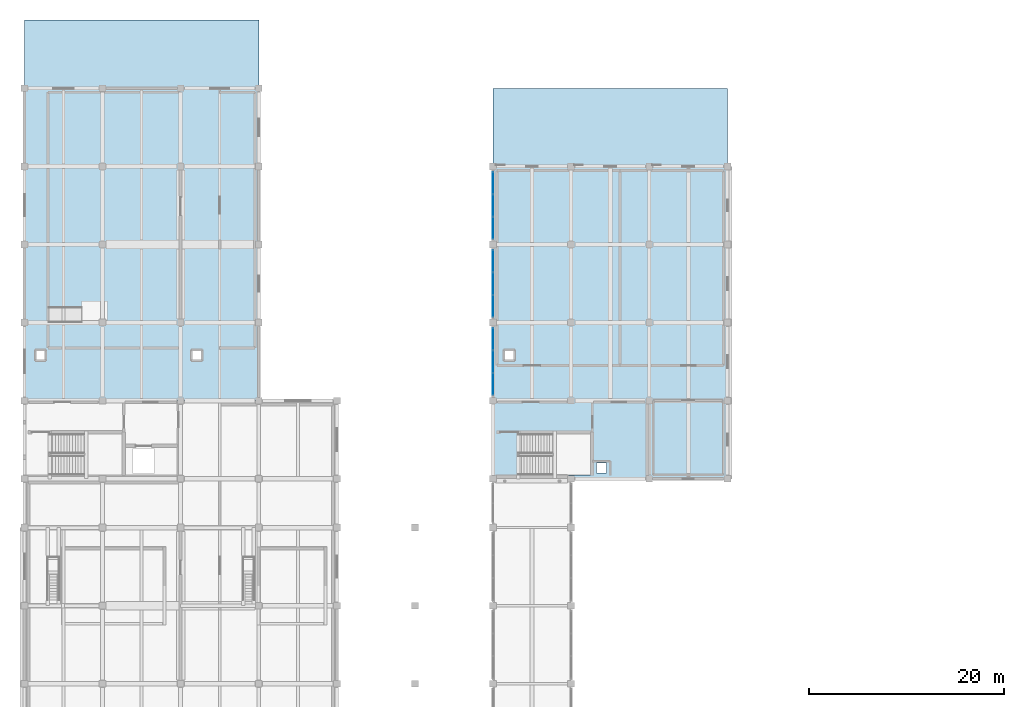
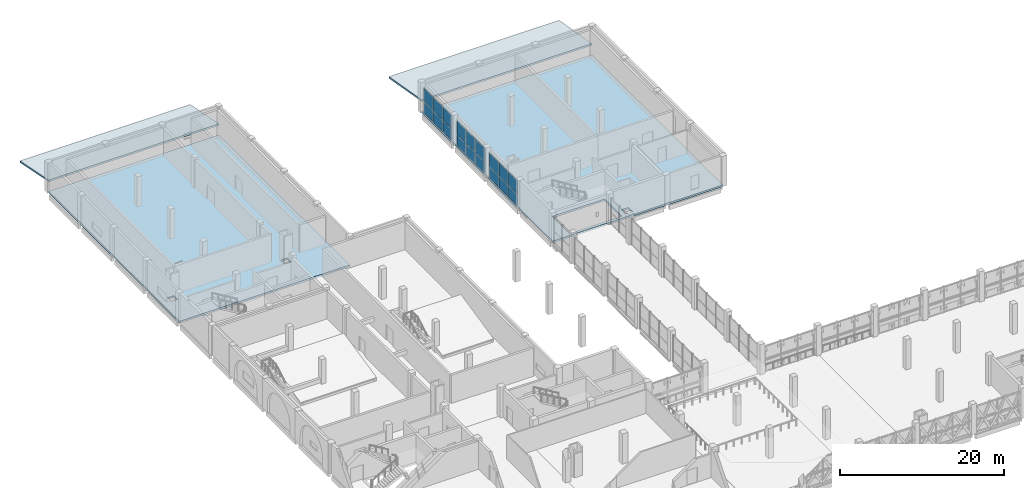
# One storey, part 22 of 45: 18 plates, 4 slabs, 5 elements without a shape of their own.
"""IFC4 building model written with IfcOpenShell, lengths in metres."""

from ifc_helpers import new_model, si_unit, direction, frame, origin, origin_2d, place, context, subcontext, project, spatial, polyline, rectangle, outline, extrude, material, layer, layer_set, type_object, element, aggregate, save


model = new_model("IFC4")

# Units and contexts
model_context = context("Model", 3, precision=1e-05, world=origin(), true_north=direction((0.0, 1.0)))
body_context = subcontext(model_context, "Body", "Model", "MODEL_VIEW")
ifc_project = project(units=[si_unit("LENGTHUNIT", "METRE"), si_unit("AREAUNIT", "SQUARE_METRE"), si_unit("VOLUMEUNIT", "CUBIC_METRE"), si_unit("PLANEANGLEUNIT", "RADIAN"), si_unit("MASSUNIT", "GRAM", prefix="KILO")], contexts=[model_context])

# Site, building, storey
site_placement = place(None, origin())
site = spatial("IfcSite", under=ifc_project, at=site_placement, CompositionType="ELEMENT")
building_placement = place(site_placement, origin())
building = spatial("IfcBuilding", under=site, at=building_placement, Name="Qorikala Patio Media Centre", CompositionType="ELEMENT")
storey_placement = place(building_placement, frame((0.0, 0.0, 9.89990234375)))
storey = spatial("IfcBuildingStorey", under=building, at=storey_placement, Name="L02", CompositionType="ELEMENT", Elevation=9.89990234375)

# Curtain wall, plates
ifc_material_1 = material(Name="Bronze Anodised Aluminium and Low-E Glass", Category="aluminium")
ifc_layer_1 = layer(ifc_material_1, 0.159912109375)
ifc_layer_set_1 = layer_set([ifc_layer_1], Name="Bronze Anodised Aluminium and Low-E Glass")
curtain_wall_type = type_object("IfcCurtainWallType", Name="CW-PAT-696X385", PredefinedType="USERDEFINED", material=ifc_layer_set_1)
curtain_wall_1_placement = place(storey_placement, origin())
curtain_wall_1 = element("IfcCurtainWall", 1, at=curtain_wall_1_placement, inside=storey, type_object=curtain_wall_type, Name="L02 Courtyard Curtain Wall 051", ObjectType="COURTYARD CURTAIN WALL", PredefinedType="USERDEFINED")
ifc_material_2 = material(Name="Low-E Double Glazing Glass", Category="glass")
ifc_layer_2 = layer(ifc_material_2, 0.028076171875)
ifc_layer_set_2 = layer_set([ifc_layer_2], Name="Low-E Double Glazing Glass")
plate_type = type_object("IfcPlateType", Name="CWP-28", PredefinedType="CURTAIN_PANEL", material=ifc_layer_set_2)
plate_1_placement = place(storey_placement, frame((51.0, 73.697509765625, 0.070068359375), z_axis=(0.0, 0.0, 1.0), x_axis=(0.0, 1.0, 0.0)))
plate_1 = element("IfcPlate", 2, at=plate_1_placement, type_object=plate_type, Name="CWP696385 panel 1.1", PredefinedType="CURTAIN_PANEL", context=body_context, shape_type="SweptSolid", body=[
    extrude(rectangle(XDim=2.215087890625, YDim=0.028076171875, at=origin_2d()), origin(), (0.0, 0.0, 1.0), 1.62744140625),
])
plate_2_placement = place(storey_placement, frame((51.0, 73.697509765625, 1.767578125), z_axis=(0.0, 0.0, 1.0), x_axis=(0.0, 1.0, 0.0)))
plate_2 = element("IfcPlate", 3, at=plate_2_placement, type_object=plate_type, Name="CWP696385 panel 1.2", PredefinedType="CURTAIN_PANEL", context=body_context, shape_type="SweptSolid", body=[
    extrude(rectangle(XDim=2.215087890625, YDim=0.028076171875, at=origin_2d()), origin(), (0.0, 0.0, 1.0), 2.012451171875),
])
plate_3_placement = place(storey_placement, frame((51.0, 76.0, 0.070068359375), z_axis=(0.0, 0.0, 1.0), x_axis=(0.0, 1.0, 0.0)))
plate_3 = element("IfcPlate", 4, at=plate_3_placement, type_object=plate_type, Name="CWP696385 panel 2.1", PredefinedType="CURTAIN_PANEL", context=body_context, shape_type="SweptSolid", body=[
    extrude(rectangle(XDim=2.25, YDim=0.028076171875, at=origin_2d()), origin(), (0.0, 0.0, 1.0), 1.62744140625),
])
plate_4_placement = place(storey_placement, frame((51.0, 76.0, 1.767578125), z_axis=(0.0, 0.0, 1.0), x_axis=(0.0, 1.0, 0.0)))
plate_4 = element("IfcPlate", 5, at=plate_4_placement, type_object=plate_type, Name="CWP696385 panel 2.2", PredefinedType="CURTAIN_PANEL", context=body_context, shape_type="SweptSolid", body=[
    extrude(rectangle(XDim=2.25, YDim=0.028076171875, at=origin_2d()), origin(), (0.0, 0.0, 1.0), 2.012451171875),
])
plate_5_placement = place(storey_placement, frame((51.0, 78.302490234375, 0.070068359375), z_axis=(0.0, 0.0, 1.0), x_axis=(0.0, 1.0, 0.0)))
plate_5 = element("IfcPlate", 6, at=plate_5_placement, type_object=plate_type, Name="CWP696385 panel 3.1", PredefinedType="CURTAIN_PANEL", context=body_context, shape_type="SweptSolid", body=[
    extrude(rectangle(XDim=2.215087890625, YDim=0.028076171875, at=origin_2d()), origin(), (0.0, 0.0, 1.0), 1.62744140625),
])
plate_6_placement = place(storey_placement, frame((51.0, 78.302490234375, 1.767578125), z_axis=(0.0, 0.0, 1.0), x_axis=(0.0, 1.0, 0.0)))
plate_6 = element("IfcPlate", 7, at=plate_6_placement, type_object=plate_type, Name="CWP696385 panel 3.2", PredefinedType="CURTAIN_PANEL", context=body_context, shape_type="SweptSolid", body=[
    extrude(rectangle(XDim=2.215087890625, YDim=0.028076171875, at=origin_2d()), origin(), (0.0, 0.0, 1.0), 2.012451171875),
])
aggregate(curtain_wall_1, [plate_1, plate_2, plate_3, plate_4, plate_5, plate_6])

curtain_wall_2_placement = place(storey_placement, origin())
curtain_wall_2 = element("IfcCurtainWall", 8, at=curtain_wall_2_placement, inside=storey, type_object=curtain_wall_type, Name="L02 Courtyard Curtain Wall 052", ObjectType="COURTYARD CURTAIN WALL", PredefinedType="USERDEFINED")
plate_7_placement = place(storey_placement, frame((51.0, 81.697509765625, 0.070068359375), z_axis=(0.0, 0.0, 1.0), x_axis=(0.0, 1.0, 0.0)))
plate_7 = element("IfcPlate", 9, at=plate_7_placement, type_object=plate_type, Name="CWP696385 panel 1.1", PredefinedType="CURTAIN_PANEL", context=body_context, shape_type="SweptSolid", body=[
    extrude(rectangle(XDim=2.215087890625, YDim=0.028076171875, at=origin_2d()), origin(), (0.0, 0.0, 1.0), 1.62744140625),
])
plate_8_placement = place(storey_placement, frame((51.0, 81.697509765625, 1.767578125), z_axis=(0.0, 0.0, 1.0), x_axis=(0.0, 1.0, 0.0)))
plate_8 = element("IfcPlate", 10, at=plate_8_placement, type_object=plate_type, Name="CWP696385 panel 1.2", PredefinedType="CURTAIN_PANEL", context=body_context, shape_type="SweptSolid", body=[
    extrude(rectangle(XDim=2.215087890625, YDim=0.028076171875, at=origin_2d()), origin(), (0.0, 0.0, 1.0), 2.012451171875),
])
plate_9_placement = place(storey_placement, frame((51.0, 84.0, 0.070068359375), z_axis=(0.0, 0.0, 1.0), x_axis=(0.0, 1.0, 0.0)))
plate_9 = element("IfcPlate", 11, at=plate_9_placement, type_object=plate_type, Name="CWP696385 panel 2.1", PredefinedType="CURTAIN_PANEL", context=body_context, shape_type="SweptSolid", body=[
    extrude(rectangle(XDim=2.25, YDim=0.028076171875, at=origin_2d()), origin(), (0.0, 0.0, 1.0), 1.62744140625),
])
plate_10_placement = place(storey_placement, frame((51.0, 84.0, 1.767578125), z_axis=(0.0, 0.0, 1.0), x_axis=(0.0, 1.0, 0.0)))
plate_10 = element("IfcPlate", 12, at=plate_10_placement, type_object=plate_type, Name="CWP696385 panel 2.2", PredefinedType="CURTAIN_PANEL", context=body_context, shape_type="SweptSolid", body=[
    extrude(rectangle(XDim=2.25, YDim=0.028076171875, at=origin_2d()), origin(), (0.0, 0.0, 1.0), 2.012451171875),
])
plate_11_placement = place(storey_placement, frame((51.0, 86.302490234375, 0.070068359375), z_axis=(0.0, 0.0, 1.0), x_axis=(0.0, 1.0, 0.0)))
plate_11 = element("IfcPlate", 13, at=plate_11_placement, type_object=plate_type, Name="CWP696385 panel 3.1", PredefinedType="CURTAIN_PANEL", context=body_context, shape_type="SweptSolid", body=[
    extrude(rectangle(XDim=2.215087890625, YDim=0.028076171875, at=origin_2d()), origin(), (0.0, 0.0, 1.0), 1.62744140625),
])
plate_12_placement = place(storey_placement, frame((51.0, 86.302490234375, 1.767578125), z_axis=(0.0, 0.0, 1.0), x_axis=(0.0, 1.0, 0.0)))
plate_12 = element("IfcPlate", 14, at=plate_12_placement, type_object=plate_type, Name="CWP696385 panel 3.2", PredefinedType="CURTAIN_PANEL", context=body_context, shape_type="SweptSolid", body=[
    extrude(rectangle(XDim=2.215087890625, YDim=0.028076171875, at=origin_2d()), origin(), (0.0, 0.0, 1.0), 2.012451171875),
])
aggregate(curtain_wall_2, [plate_7, plate_8, plate_9, plate_10, plate_11, plate_12])

curtain_wall_3_placement = place(storey_placement, origin())
curtain_wall_3 = element("IfcCurtainWall", 15, at=curtain_wall_3_placement, inside=storey, type_object=curtain_wall_type, Name="L02 Courtyard Curtain Wall 053", ObjectType="COURTYARD CURTAIN WALL", PredefinedType="USERDEFINED")
plate_13_placement = place(storey_placement, frame((51.0, 89.697509765625, 0.070068359375), z_axis=(0.0, 0.0, 1.0), x_axis=(0.0, 1.0, 0.0)))
plate_13 = element("IfcPlate", 16, at=plate_13_placement, type_object=plate_type, Name="CWP696385 panel 1.1", PredefinedType="CURTAIN_PANEL", context=body_context, shape_type="SweptSolid", body=[
    extrude(rectangle(XDim=2.215087890625, YDim=0.028076171875, at=origin_2d()), origin(), (0.0, 0.0, 1.0), 1.62744140625),
])
plate_14_placement = place(storey_placement, frame((51.0, 89.697509765625, 1.767578125), z_axis=(0.0, 0.0, 1.0), x_axis=(0.0, 1.0, 0.0)))
plate_14 = element("IfcPlate", 17, at=plate_14_placement, type_object=plate_type, Name="CWP696385 panel 1.2", PredefinedType="CURTAIN_PANEL", context=body_context, shape_type="SweptSolid", body=[
    extrude(rectangle(XDim=2.215087890625, YDim=0.028076171875, at=origin_2d()), origin(), (0.0, 0.0, 1.0), 2.012451171875),
])
plate_15_placement = place(storey_placement, frame((51.0, 92.0, 0.070068359375), z_axis=(0.0, 0.0, 1.0), x_axis=(0.0, 1.0, 0.0)))
plate_15 = element("IfcPlate", 18, at=plate_15_placement, type_object=plate_type, Name="CWP696385 panel 2.1", PredefinedType="CURTAIN_PANEL", context=body_context, shape_type="SweptSolid", body=[
    extrude(rectangle(XDim=2.25, YDim=0.028076171875, at=origin_2d()), origin(), (0.0, 0.0, 1.0), 1.62744140625),
])
plate_16_placement = place(storey_placement, frame((51.0, 92.0, 1.767578125), z_axis=(0.0, 0.0, 1.0), x_axis=(0.0, 1.0, 0.0)))
plate_16 = element("IfcPlate", 19, at=plate_16_placement, type_object=plate_type, Name="CWP696385 panel 2.2", PredefinedType="CURTAIN_PANEL", context=body_context, shape_type="SweptSolid", body=[
    extrude(rectangle(XDim=2.25, YDim=0.028076171875, at=origin_2d()), origin(), (0.0, 0.0, 1.0), 2.012451171875),
])
plate_17_placement = place(storey_placement, frame((51.0, 94.302490234375, 0.070068359375), z_axis=(0.0, 0.0, 1.0), x_axis=(0.0, 1.0, 0.0)))
plate_17 = element("IfcPlate", 20, at=plate_17_placement, type_object=plate_type, Name="CWP696385 panel 3.1", PredefinedType="CURTAIN_PANEL", context=body_context, shape_type="SweptSolid", body=[
    extrude(rectangle(XDim=2.215087890625, YDim=0.028076171875, at=origin_2d()), origin(), (0.0, 0.0, 1.0), 1.62744140625),
])
plate_18_placement = place(storey_placement, frame((51.0, 94.302490234375, 1.767578125), z_axis=(0.0, 0.0, 1.0), x_axis=(0.0, 1.0, 0.0)))
plate_18 = element("IfcPlate", 21, at=plate_18_placement, type_object=plate_type, Name="CWP696385 panel 3.2", PredefinedType="CURTAIN_PANEL", context=body_context, shape_type="SweptSolid", body=[
    extrude(rectangle(XDim=2.215087890625, YDim=0.028076171875, at=origin_2d()), origin(), (0.0, 0.0, 1.0), 2.012451171875),
])
aggregate(curtain_wall_3, [plate_13, plate_14, plate_15, plate_16, plate_17, plate_18])

# Roof, slab
ifc_material_3 = material(Name="Terracotta Clay Tile and Steel S355", Category="masonry")
roof_type = type_object("IfcRoofType", Name="ROOF-GABLE", PredefinedType="GABLE_ROOF", material=ifc_material_3)
roof_1_placement = place(storey_placement, origin())
roof_1 = element("IfcRoof", 22, at=roof_1_placement, inside=storey, type_object=roof_type, Name="L02 Colonial Clay-Tile Loggia Roof RF-LOG-V4-L2", PredefinedType="GABLE_ROOF")
ifc_material_4 = material(Name="Concrete C35/45", Category="concrete")
ifc_layer_3 = layer(ifc_material_4, 0.260009765625)
ifc_layer_set_3 = layer_set([ifc_layer_3], Name="Concrete C35/45")
slab_type_1 = type_object("IfcSlabType", Name="SL-ROOF-180", PredefinedType="ROOF", material=ifc_layer_set_3)
slab_1_placement = place(storey_placement, frame((3.0, 111.0, 0.260009765625), z_axis=(0.0, 0.19478706005, 0.980845554222), x_axis=(1.0, 0.0, 0.0)))
slab_1 = element("IfcSlab", 23, at=slab_1_placement, type_object=slab_type_1, Name="L02 Colonial Loggia Roof Slab RF-LOG-V4-L2", PredefinedType="ROOF", context=body_context, shape_type="SweptSolid", body=[
    extrude(outline(polyline([(0.0, 0.0), (24.0, 0.0), (24.0, -7.136699524066921), (0.0, -7.136699524066921), (0.0, 0.0)])), origin(), (0.0, 0.0, -1.0), 0.239990234375),
])
aggregate(roof_1, [slab_1])

roof_2_placement = place(storey_placement, origin())
roof_2 = element("IfcRoof", 24, at=roof_2_placement, inside=storey, type_object=roof_type, Name="L02 Colonial Clay-Tile Loggia Roof RF-LOG-V5-L2", PredefinedType="GABLE_ROOF")
slab_2_placement = place(storey_placement, frame((51.0, 104.0, 0.260009765625), z_axis=(0.0, 0.171201595869, 0.985236019222), x_axis=(1.0, 0.0, 0.0)))
slab_2 = element("IfcSlab", 25, at=slab_2_placement, type_object=slab_type_1, Name="L02 Colonial Loggia Roof Slab RF-LOG-V5-L2", PredefinedType="ROOF", context=body_context, shape_type="SweptSolid", body=[
    extrude(outline(polyline([(0.0, 0.0), (24.0, 0.0), (24.0, -8.119881778500043), (0.0, -8.119881778500043), (0.0, 0.0)])), origin(), (0.0, 0.0, -1.0), 0.239990234375),
])
aggregate(roof_2, [slab_2])

# Slabs
ifc_layer_4 = layer(ifc_material_4, 0.280029296875)
ifc_layer_set_4 = layer_set([ifc_layer_4], Name="Concrete C35/45")
slab_type_2 = type_object("IfcSlabType", Name="SL-STUDIO-280", PredefinedType="FLOOR", material=ifc_layer_set_4)
slab_3_placement = place(storey_placement, frame((0.0, 0.0, -0.27978515625)))
element("IfcSlab", 26, at=slab_3_placement, inside=storey, type_object=slab_type_2, Name="L02 V4 Slab 7.1", PredefinedType="FLOOR", context=body_context, shape_type="SweptSolid", body=[
    extrude(outline(polyline([(27.0, 104.0), (27.0, 72.0), (19.0, 72.0), (3.0, 72.0), (3.0, 104.0), (27.0, 104.0)]), holes=[polyline([(4.199951171875, 76.199951171875), (5.10009765625, 76.199951171875), (5.10009765625, 77.10009765625), (4.199951171875, 77.10009765625), (4.199951171875, 76.199951171875)]), polyline([(21.10009765625, 76.199951171875), (21.10009765625, 77.10009765625), (20.199951171875, 77.10009765625), (20.199951171875, 76.199951171875), (21.10009765625, 76.199951171875)])]), origin(), (0.0, 0.0, 1.0), 0.27978515625),
])
slab_4_placement = place(storey_placement, frame((0.0, 0.0, -0.27978515625)))
element("IfcSlab", 27, at=slab_4_placement, inside=storey, type_object=slab_type_2, Name="L02 V5 Slab 8.1", PredefinedType="FLOOR", context=body_context, shape_type="SweptSolid", body=[
    extrude(outline(polyline([(51.0, 96.0), (75.0, 96.0), (75.0, 64.0), (51.0, 64.0), (51.0, 96.0)]), holes=[polyline([(61.60009765625, 64.60009765625), (62.60009765625, 64.60009765625), (62.60009765625, 65.60009765625), (61.60009765625, 65.60009765625), (61.60009765625, 64.60009765625)]), polyline([(53.60009765625, 64.39990234375), (61.0, 64.39990234375), (61.0, 68.60009765625), (53.60009765625, 68.60009765625), (53.60009765625, 64.39990234375)]), polyline([(52.199951171875, 76.199951171875), (53.10009765625, 76.199951171875), (53.10009765625, 77.10009765625), (52.199951171875, 77.10009765625), (52.199951171875, 76.199951171875)])]), origin(), (0.0, 0.0, 1.0), 0.27978515625),
])

save(model, "model.ifc")
